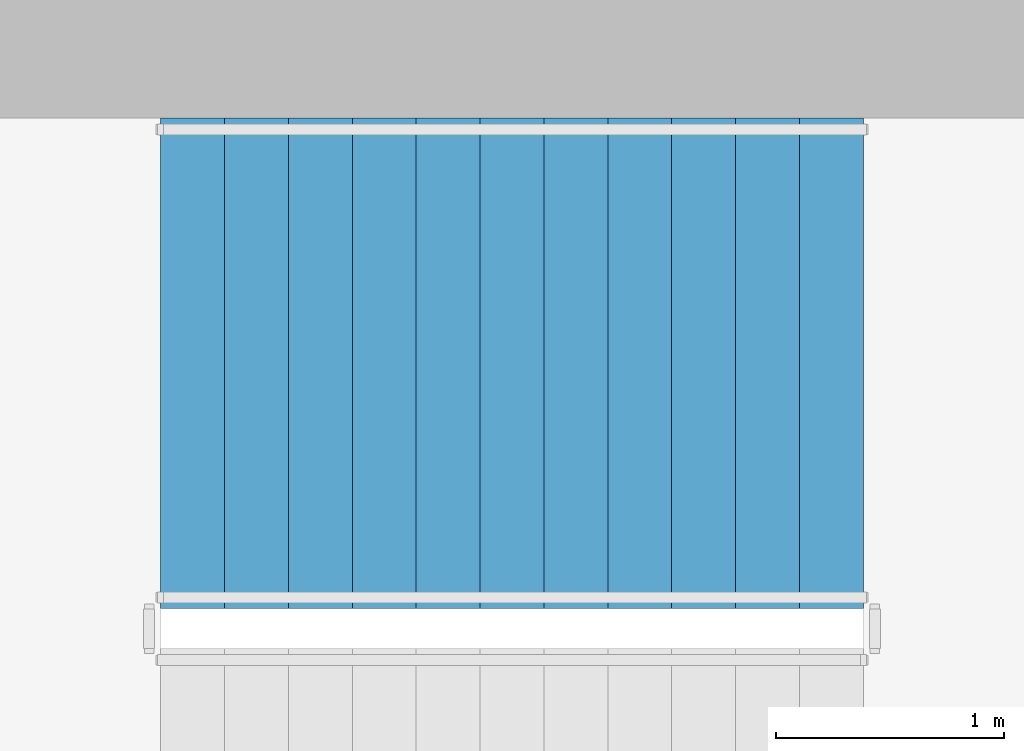
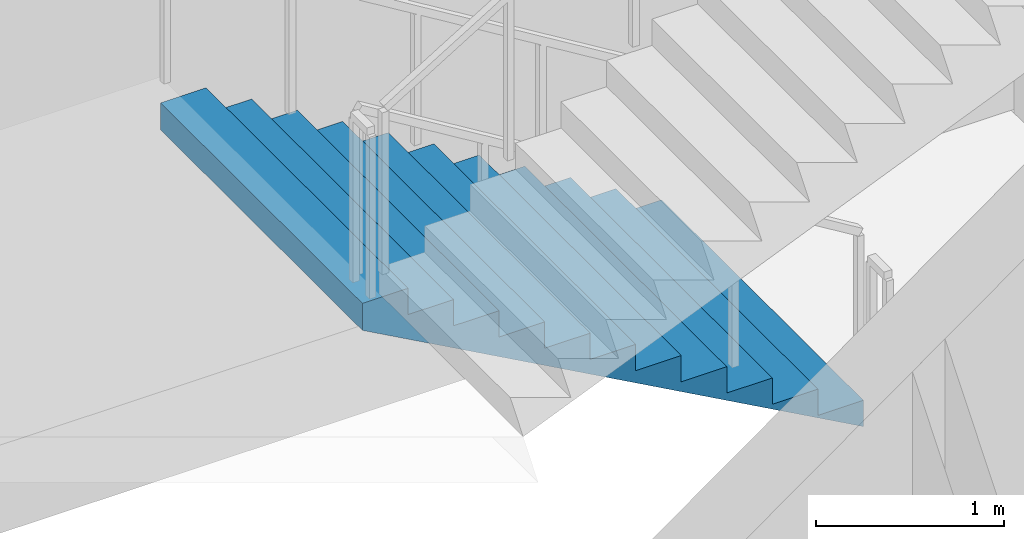
# One storey, part 9 of 14: 1 stair flight, 1 element without a shape of its own.
"""IFC4 building model written with IfcOpenShell, lengths in metres."""

from ifc_helpers import new_model, si_unit, direction, frame, origin, place, context, subcontext, project, spatial, triangles, material, type_object, element, aggregate, save


model = new_model("IFC4")

# Units and contexts
model_context = context("Model", 3, precision=1e-05, world=origin(), true_north=direction((0.0, 1.0)))
body_context = subcontext(model_context, "Body", "Model", "MODEL_VIEW")
ifc_project = project(units=[si_unit("LENGTHUNIT", "METRE"), si_unit("AREAUNIT", "SQUARE_METRE"), si_unit("VOLUMEUNIT", "CUBIC_METRE"), si_unit("PLANEANGLEUNIT", "RADIAN"), si_unit("MASSUNIT", "GRAM", prefix="KILO")], contexts=[model_context])

# Site, building, storey
site_placement = place(None, origin())
site = spatial("IfcSite", under=ifc_project, at=site_placement, CompositionType="ELEMENT")
building_placement = place(site_placement, origin())
building = spatial("IfcBuilding", under=site, at=building_placement, Name="Cypress Arch Tower", CompositionType="ELEMENT")
storey_placement = place(building_placement, frame((0.0, 0.0, 325.39990234375)))
storey = spatial("IfcBuildingStorey", under=building, at=storey_placement, Name="L74", CompositionType="ELEMENT", Elevation=325.39990234375)

# Stair, stair flight
ifc_material_1 = material(Name="Concrete C40/50", Category="concrete")
stair_type = type_object("IfcStairType", Name="Exit stair ES1708-215", PredefinedType="HALF_TURN_STAIR", material=ifc_material_1)
stair_placement = place(storey_placement, origin())
stair = element("IfcStair", 1, at=stair_placement, inside=storey, type_object=stair_type, Name="L74 Exit stair B", PredefinedType="HALF_TURN_STAIR")
ifc_material_2 = material(Name="Concrete C40/50", Category="concrete")
stair_flight_type = type_object("IfcStairFlightType", Name="Exit stair flight ES1708-215", PredefinedType="STRAIGHT", material=ifc_material_2)
stair_flight_placement = place(storey_placement, frame((-22.27490234375, 13.72509765625, 0.0), z_axis=(0.0, 0.0, 1.0), x_axis=(-1.0, 0.0, 0.0)))
stair_flight = element("IfcStairFlight", 2, at=stair_flight_placement, type_object=stair_flight_type, Name="B flight 1", NumberOfRisers=12, NumberOfTreads=11, PredefinedType="STRAIGHT", RiserHeight=0.170833333, TreadLength=0.28, context=body_context, shape_type="Tessellation", body=[
    triangles([(0.0, -1.074951171875, 0.0), (0.000244140625, -1.074951171875, 0.01904296875), (0.000244140625, -1.074951171875, 0.0380859375), (0.00048828125, -1.074951171875, 0.056884765625), (0.00048828125, -1.074951171875, 0.075927734375), (0.00048828125, -1.074951171875, 0.094970703125), (0.00048828125, -1.074951171875, 0.114013671875), (0.000244140625, -1.074951171875, 0.1328125), (0.000244140625, -1.074951171875, 0.15185546875), (0.0, -1.074951171875, 0.1708984375), (0.280029296875, -1.074951171875, 0.1708984375), (0.280029296875, -1.074951171875, 0.341552734375), (0.56005859375, -1.074951171875, 0.341552734375), (0.56005859375, -1.074951171875, 0.512451171875), (0.840087890625, -1.074951171875, 0.512451171875), (0.840087890625, -1.074951171875, 0.683349609375), (1.1201171875, -1.074951171875, 0.683349609375), (1.1201171875, -1.074951171875, 0.854248046875), (1.39990234375, -1.074951171875, 0.854248046875), (1.39990234375, -1.074951171875, 1.02490234375), (1.679931640625, -1.074951171875, 1.02490234375), (1.679931640625, -1.074951171875, 1.19580078125), (1.9599609375, -1.074951171875, 1.19580078125), (1.9599609375, -1.074951171875, 1.36669921875), (2.239990234375, -1.074951171875, 1.36669921875), (2.239990234375, -1.074951171875, 1.53759765625), (2.52001953125, -1.074951171875, 1.53759765625), (2.52001953125, -1.074951171875, 1.708251953125), (2.800048828125, -1.074951171875, 1.708251953125), (2.800048828125, -1.074951171875, 1.879150390625), (3.080078125, -1.074951171875, 1.879150390625), (3.079833984375, -1.074951171875, 1.859619140625), (3.079833984375, -1.074951171875, 1.840087890625), (3.07958984375, -1.074951171875, 1.820556640625), (3.07958984375, -1.074951171875, 1.801025390625), (3.07958984375, -1.074951171875, 1.78173828125), (3.07958984375, -1.074951171875, 1.76220703125), (3.079833984375, -1.074951171875, 1.74267578125), (3.079833984375, -1.074951171875, 1.72314453125), (3.080078125, -1.074951171875, 1.70361328125), (3.080078125, 1.074951171875, 1.70361328125), (3.079833984375, 1.074951171875, 1.72314453125), (3.079833984375, 1.074951171875, 1.74267578125), (3.07958984375, 1.074951171875, 1.76220703125), (3.07958984375, 1.074951171875, 1.78173828125), (3.07958984375, 1.074951171875, 1.801025390625), (3.07958984375, 1.074951171875, 1.820556640625), (3.079833984375, 1.074951171875, 1.840087890625), (3.079833984375, 1.074951171875, 1.859619140625), (3.080078125, 1.074951171875, 1.879150390625), (2.800048828125, 1.074951171875, 1.879150390625), (2.800048828125, 1.074951171875, 1.708251953125), (2.52001953125, 1.074951171875, 1.708251953125), (2.52001953125, 1.074951171875, 1.53759765625), (2.239990234375, 1.074951171875, 1.53759765625), (2.239990234375, 1.074951171875, 1.36669921875), (1.9599609375, 1.074951171875, 1.36669921875), (1.9599609375, 1.074951171875, 1.19580078125), (1.679931640625, 1.074951171875, 1.19580078125), (1.679931640625, 1.074951171875, 1.02490234375), (1.39990234375, 1.074951171875, 1.02490234375), (1.39990234375, 1.074951171875, 0.854248046875), (1.1201171875, 1.074951171875, 0.854248046875), (1.1201171875, 1.074951171875, 0.683349609375), (0.840087890625, 1.074951171875, 0.683349609375), (0.840087890625, 1.074951171875, 0.512451171875), (0.56005859375, 1.074951171875, 0.512451171875), (0.56005859375, 1.074951171875, 0.341552734375), (0.280029296875, 1.074951171875, 0.341552734375), (0.280029296875, 1.074951171875, 0.1708984375), (0.0, 1.074951171875, 0.1708984375), (0.000244140625, 1.074951171875, 0.15185546875), (0.000244140625, 1.074951171875, 0.1328125), (0.00048828125, 1.074951171875, 0.114013671875), (0.00048828125, 1.074951171875, 0.094970703125), (0.00048828125, 1.074951171875, 0.075927734375), (0.00048828125, 1.074951171875, 0.056884765625), (0.000244140625, 1.074951171875, 0.0380859375), (0.000244140625, 1.074951171875, 0.01904296875), (0.0, 1.074951171875, 0.0)], [[40, 39, 30], [39, 38, 30], [38, 37, 30], [37, 36, 30], [36, 35, 30], [35, 34, 30], [34, 33, 30], [33, 32, 30], [32, 31, 30], [19, 18, 17], [27, 26, 25], [25, 24, 23], [23, 22, 21], [17, 16, 15], [15, 14, 13], [10, 9, 11], [9, 8, 11], [8, 7, 11], [7, 6, 11], [6, 5, 11], [5, 4, 11], [4, 3, 11], [3, 2, 11], [2, 1, 11], [29, 28, 27], [21, 20, 19], [13, 12, 11], [40, 30, 29], [40, 29, 27], [40, 27, 25], [40, 25, 23], [40, 23, 21], [40, 21, 19], [40, 19, 17], [40, 17, 15], [40, 15, 13], [1, 40, 13], [13, 11, 1], [41, 51, 42], [42, 51, 43], [43, 51, 44], [44, 51, 45], [45, 51, 46], [46, 51, 47], [47, 51, 48], [48, 51, 49], [49, 51, 50], [62, 64, 63], [54, 56, 55], [56, 58, 57], [58, 60, 59], [64, 66, 65], [66, 68, 67], [71, 70, 72], [72, 70, 73], [73, 70, 74], [74, 70, 75], [75, 70, 76], [76, 70, 77], [77, 70, 78], [78, 70, 79], [79, 70, 80], [52, 54, 53], [60, 62, 61], [68, 70, 69], [41, 52, 51], [41, 54, 52], [41, 56, 54], [41, 58, 56], [41, 60, 58], [41, 62, 60], [41, 64, 62], [41, 66, 64], [41, 68, 66], [80, 68, 41], [68, 80, 70], [41, 42, 39], [41, 39, 40], [42, 43, 38], [42, 38, 39], [43, 44, 37], [43, 37, 38], [44, 45, 36], [44, 36, 37], [45, 46, 35], [45, 35, 36], [46, 47, 34], [46, 34, 35], [47, 48, 33], [47, 33, 34], [48, 49, 32], [48, 32, 33], [49, 50, 31], [49, 31, 32], [50, 51, 30], [50, 30, 31], [51, 52, 29], [51, 29, 30], [52, 53, 28], [52, 28, 29], [53, 54, 27], [53, 27, 28], [54, 55, 26], [54, 26, 27], [55, 56, 25], [55, 25, 26], [56, 57, 24], [56, 24, 25], [57, 58, 23], [57, 23, 24], [58, 59, 22], [58, 22, 23], [59, 60, 21], [59, 21, 22], [60, 61, 20], [60, 20, 21], [61, 62, 19], [61, 19, 20], [62, 63, 18], [62, 18, 19], [63, 64, 17], [63, 17, 18], [64, 65, 16], [64, 16, 17], [65, 66, 15], [65, 15, 16], [66, 67, 14], [66, 14, 15], [67, 68, 13], [67, 13, 14], [68, 69, 12], [68, 12, 13], [69, 70, 11], [69, 11, 12], [70, 71, 10], [70, 10, 11], [71, 72, 9], [71, 9, 10], [72, 73, 8], [72, 8, 9], [73, 74, 7], [73, 7, 8], [74, 75, 6], [74, 6, 7], [75, 76, 5], [75, 5, 6], [76, 77, 4], [76, 4, 5], [77, 78, 3], [77, 3, 4], [78, 79, 2], [78, 2, 3], [79, 80, 1], [79, 1, 2], [80, 41, 40], [80, 40, 1]], closed=True),
])
aggregate(stair, [stair_flight])

save(model, "model.ifc")
